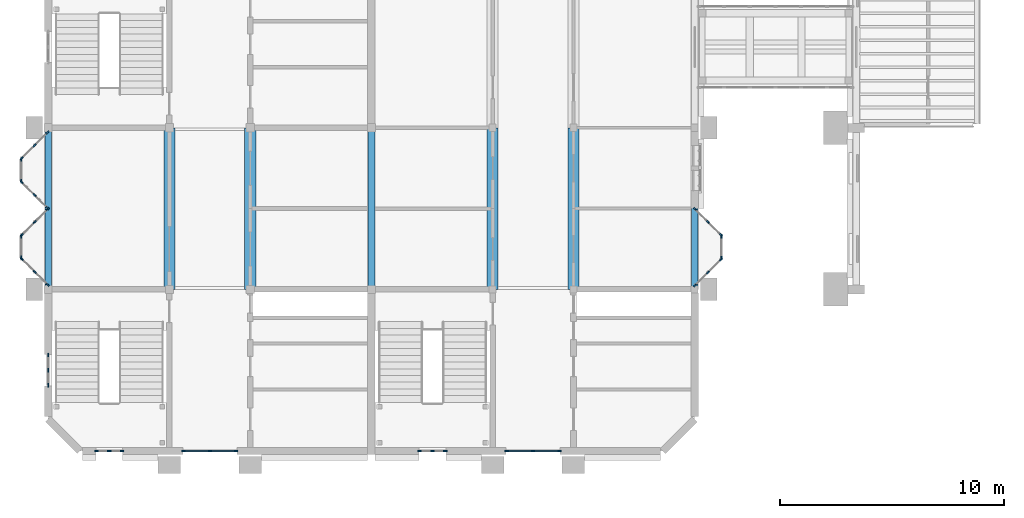
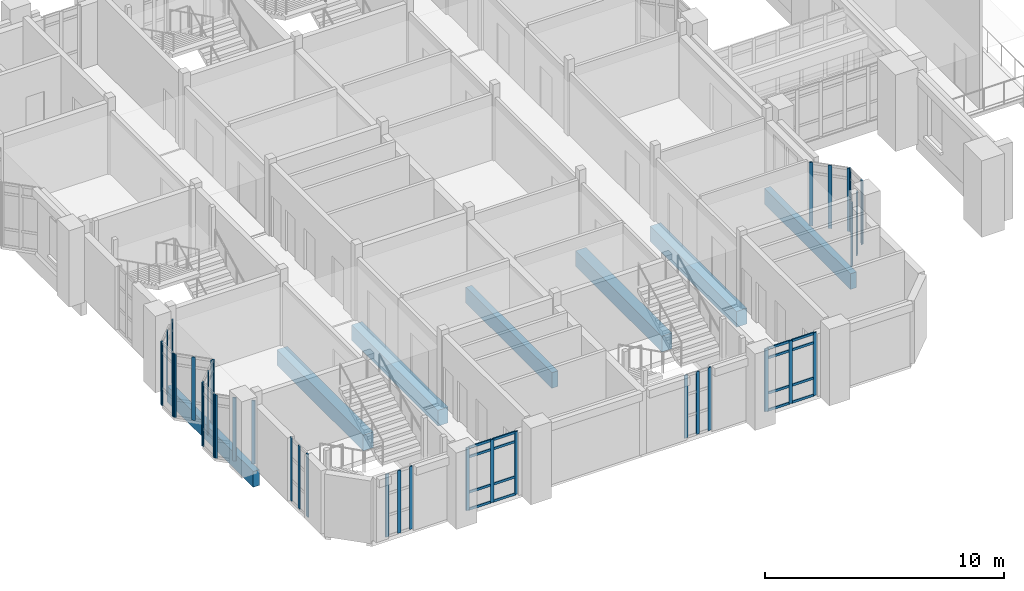
# One storey, part 4 of 69: 55 members, 7 beams, 14 elements without a shape of their own.
"""IFC4 building model written with IfcOpenShell, lengths in metres."""

from ifc_helpers import new_model, si_unit, direction, frame, origin, origin_2d, place, context, subcontext, project, spatial, rectangle, extrude, material, layer, layer_set, material_profile, profile_set, type_object, element, aggregate, save


model = new_model("IFC4")

# Units and contexts
model_context = context("Model", 3, precision=1e-05, world=origin(), true_north=direction((0.0, 1.0)))
body_context = subcontext(model_context, "Body", "Model", "MODEL_VIEW")
ifc_project = project(units=[si_unit("LENGTHUNIT", "METRE"), si_unit("AREAUNIT", "SQUARE_METRE"), si_unit("VOLUMEUNIT", "CUBIC_METRE"), si_unit("PLANEANGLEUNIT", "RADIAN"), si_unit("MASSUNIT", "GRAM", prefix="KILO")], contexts=[model_context])

# Site, building, storey
site_placement = place(None, origin())
site = spatial("IfcSite", under=ifc_project, at=site_placement, CompositionType="ELEMENT")
building_placement = place(site_placement, origin())
building = spatial("IfcBuilding", under=site, at=building_placement, Name="Mazhai Court Health Centre", CompositionType="ELEMENT")
storey_placement = place(building_placement, frame((0.0, 0.0, 6.300048828125)))
storey = spatial("IfcBuildingStorey", under=building, at=storey_placement, Name="L01", CompositionType="ELEMENT", Elevation=6.300048828125)

# Curtain wall, members
ifc_material_1 = material(Name="Teak timber frame, glazed", Category="wood")
ifc_layer_1 = layer(ifc_material_1, 0.10009765625)
ifc_layer_set_1 = layer_set([ifc_layer_1], Name="CURTAIN WALL TIMBER 600")
curtain_wall_type_1 = type_object("IfcCurtainWallType", Name="CURTAIN WALL TIMBER 600", PredefinedType="NOTDEFINED", material=ifc_layer_set_1)
curtain_wall_1_placement = place(storey_placement, origin())
curtain_wall_1 = element("IfcCurtainWall", 1, at=curtain_wall_1_placement, inside=storey, type_object=curtain_wall_type_1, Name="CW-V2-L01-A0", PredefinedType="NOTDEFINED")
ifc_material_2 = material(Name="Teak timber", Category="wood")
ifc_material_profile_1 = material_profile(ifc_material_2, rectangle(XDim=0.06005859375, YDim=0.159912109375, at=origin_2d()), Name="CW MULLION 60x160")
ifc_profile_set_1 = profile_set([ifc_material_profile_1], Name="Teak timber")
member_type_1 = type_object("IfcMemberType", Name="CW MULLION 60x160", PredefinedType="MULLION", material=ifc_profile_set_1)
member_1_placement = place(storey_placement, frame((6.199951171875, 9.1298828125, 0.0), z_axis=(0.0, 0.0, 1.0), x_axis=(-1.0, 0.0, 0.0)))
member_1 = element("IfcMember", 2, at=member_1_placement, type_object=member_type_1, Name="CW mullion 1", PredefinedType="MULLION", context=body_context, shape_type="SweptSolid", body=[
    extrude(rectangle(XDim=0.06005859375, YDim=0.159912109375, at=origin_2d()), origin(), (0.0, 0.0, 1.0), 3.219970703125),
])
member_2_placement = place(storey_placement, frame((6.199951171875, 9.800048828125, 0.0), z_axis=(0.0, 0.0, 1.0), x_axis=(-1.0, 0.0, 0.0)))
member_2 = element("IfcMember", 3, at=member_2_placement, type_object=member_type_1, Name="CW mullion 2", PredefinedType="MULLION", context=body_context, shape_type="SweptSolid", body=[
    extrude(rectangle(XDim=0.06005859375, YDim=0.159912109375, at=origin_2d()), origin(), (0.0, 0.0, 1.0), 3.219970703125),
])
member_3_placement = place(storey_placement, frame((6.199951171875, 10.469970703125, 0.0), z_axis=(0.0, 0.0, 1.0), x_axis=(-1.0, 0.0, 0.0)))
member_3 = element("IfcMember", 4, at=member_3_placement, type_object=member_type_1, Name="CW mullion 3", PredefinedType="MULLION", context=body_context, shape_type="SweptSolid", body=[
    extrude(rectangle(XDim=0.06005859375, YDim=0.159912109375, at=origin_2d()), origin(), (0.0, 0.0, 1.0), 3.219970703125),
])
aggregate(curtain_wall_1, [member_1, member_2, member_3])

ifc_material_3 = material(Name="Teak timber frame, glazed", Category="wood")
ifc_layer_2 = layer(ifc_material_3, 0.10009765625)
ifc_layer_set_2 = layer_set([ifc_layer_2], Name="CURTAIN WALL TIMBER 900")
curtain_wall_type_2 = type_object("IfcCurtainWallType", Name="CURTAIN WALL TIMBER 900", PredefinedType="NOTDEFINED", material=ifc_layer_set_2)
curtain_wall_2_placement = place(storey_placement, origin())
curtain_wall_2 = element("IfcCurtainWall", 5, at=curtain_wall_2_placement, inside=storey, type_object=curtain_wall_type_2, Name="CW-ORIEL-V2-L01-A10-0", PredefinedType="NOTDEFINED")
member_4_placement = place(storey_placement, frame((6.1787109375, 13.601318359375, 0.0), z_axis=(0.0, 0.0, 1.0), x_axis=(-0.707106781187, -0.707106781187, 0.0)))
member_4 = element("IfcMember", 6, at=member_4_placement, type_object=member_type_1, Name="CW mullion 1", PredefinedType="MULLION", context=body_context, shape_type="SweptSolid", body=[
    extrude(rectangle(XDim=0.06005859375, YDim=0.159912109375, at=origin_2d()), origin(), (0.0, 0.0, 1.0), 3.219970703125),
])
member_5_placement = place(storey_placement, frame((5.60009765625, 14.179931640625, 0.0), z_axis=(0.0, 0.0, 1.0), x_axis=(-0.707106781187, -0.707106781187, 0.0)))
member_5 = element("IfcMember", 7, at=member_5_placement, type_object=member_type_1, Name="CW mullion 2", PredefinedType="MULLION", context=body_context, shape_type="SweptSolid", body=[
    extrude(rectangle(XDim=0.06005859375, YDim=0.159912109375, at=origin_2d()), origin(), (0.0, 0.0, 1.0), 3.219970703125),
])
member_6_placement = place(storey_placement, frame((5.021240234375, 14.7587890625, 0.0), z_axis=(0.0, 0.0, 1.0), x_axis=(-0.707106781187, -0.707106781187, 0.0)))
member_6 = element("IfcMember", 8, at=member_6_placement, type_object=member_type_1, Name="CW mullion 3", PredefinedType="MULLION", context=body_context, shape_type="SweptSolid", body=[
    extrude(rectangle(XDim=0.06005859375, YDim=0.159912109375, at=origin_2d()), origin(), (0.0, 0.0, 1.0), 3.219970703125),
])
aggregate(curtain_wall_2, [member_4, member_5, member_6])

curtain_wall_3_placement = place(storey_placement, origin())
curtain_wall_3 = element("IfcCurtainWall", 9, at=curtain_wall_3_placement, inside=storey, type_object=curtain_wall_type_2, Name="CW-ORIEL-V2-L01-A10-1", PredefinedType="NOTDEFINED")
member_7_placement = place(storey_placement, frame((5.0, 14.81005859375, 0.0), z_axis=(0.0, 0.0, 1.0), x_axis=(-1.0, 0.0, 0.0)))
member_7 = element("IfcMember", 10, at=member_7_placement, type_object=member_type_1, Name="CW mullion 1", PredefinedType="MULLION", context=body_context, shape_type="SweptSolid", body=[
    extrude(rectangle(XDim=0.06005859375, YDim=0.159912109375, at=origin_2d()), origin(), (0.0, 0.0, 1.0), 3.219970703125),
])
member_8_placement = place(storey_placement, frame((5.0, 15.77001953125, 0.0), z_axis=(0.0, 0.0, 1.0), x_axis=(-1.0, 0.0, 0.0)))
member_8 = element("IfcMember", 11, at=member_8_placement, type_object=member_type_1, Name="CW mullion 2", PredefinedType="MULLION", context=body_context, shape_type="SweptSolid", body=[
    extrude(rectangle(XDim=0.06005859375, YDim=0.159912109375, at=origin_2d()), origin(), (0.0, 0.0, 1.0), 3.219970703125),
])
aggregate(curtain_wall_3, [member_7, member_8])

curtain_wall_4_placement = place(storey_placement, origin())
curtain_wall_4 = element("IfcCurtainWall", 12, at=curtain_wall_4_placement, inside=storey, type_object=curtain_wall_type_2, Name="CW-ORIEL-V2-L01-A10-2", PredefinedType="NOTDEFINED")
member_9_placement = place(storey_placement, frame((5.021240234375, 15.8212890625, 0.0), z_axis=(0.0, 0.0, 1.0), x_axis=(-0.707106781187, 0.707106781187, 0.0)))
member_9 = element("IfcMember", 13, at=member_9_placement, type_object=member_type_1, Name="CW mullion 1", PredefinedType="MULLION", context=body_context, shape_type="SweptSolid", body=[
    extrude(rectangle(XDim=0.06005859375, YDim=0.159912109375, at=origin_2d()), origin(), (0.0, 0.0, 1.0), 3.219970703125),
])
member_10_placement = place(storey_placement, frame((5.60009765625, 16.39990234375, 0.0), z_axis=(0.0, 0.0, 1.0), x_axis=(-0.707106781187, 0.707106781187, 0.0)))
member_10 = element("IfcMember", 14, at=member_10_placement, type_object=member_type_1, Name="CW mullion 2", PredefinedType="MULLION", context=body_context, shape_type="SweptSolid", body=[
    extrude(rectangle(XDim=0.06005859375, YDim=0.159912109375, at=origin_2d()), origin(), (0.0, 0.0, 1.0), 3.219970703125),
])
member_11_placement = place(storey_placement, frame((6.1787109375, 16.978759765625, 0.0), z_axis=(0.0, 0.0, 1.0), x_axis=(-0.707106781187, 0.707106781187, 0.0)))
member_11 = element("IfcMember", 15, at=member_11_placement, type_object=member_type_1, Name="CW mullion 3", PredefinedType="MULLION", context=body_context, shape_type="SweptSolid", body=[
    extrude(rectangle(XDim=0.06005859375, YDim=0.159912109375, at=origin_2d()), origin(), (0.0, 0.0, 1.0), 3.219970703125),
])
aggregate(curtain_wall_4, [member_9, member_10, member_11])

curtain_wall_5_placement = place(storey_placement, origin())
curtain_wall_5 = element("IfcCurtainWall", 16, at=curtain_wall_5_placement, inside=storey, type_object=curtain_wall_type_2, Name="CW-ORIEL-V2-L01-A11-0", PredefinedType="NOTDEFINED")
member_12_placement = place(storey_placement, frame((6.1787109375, 17.021240234375, 0.0), z_axis=(0.0, 0.0, 1.0), x_axis=(-0.707106781187, -0.707106781187, 0.0)))
member_12 = element("IfcMember", 17, at=member_12_placement, type_object=member_type_1, Name="CW mullion 1", PredefinedType="MULLION", context=body_context, shape_type="SweptSolid", body=[
    extrude(rectangle(XDim=0.06005859375, YDim=0.159912109375, at=origin_2d()), origin(), (0.0, 0.0, 1.0), 3.219970703125),
])
member_13_placement = place(storey_placement, frame((5.60009765625, 17.60009765625, 0.0), z_axis=(0.0, 0.0, 1.0), x_axis=(-0.707106781187, -0.707106781187, 0.0)))
member_13 = element("IfcMember", 18, at=member_13_placement, type_object=member_type_1, Name="CW mullion 2", PredefinedType="MULLION", context=body_context, shape_type="SweptSolid", body=[
    extrude(rectangle(XDim=0.06005859375, YDim=0.159912109375, at=origin_2d()), origin(), (0.0, 0.0, 1.0), 3.219970703125),
])
member_14_placement = place(storey_placement, frame((5.021240234375, 18.1787109375, 0.0), z_axis=(0.0, 0.0, 1.0), x_axis=(-0.707106781187, -0.707106781187, 0.0)))
member_14 = element("IfcMember", 19, at=member_14_placement, type_object=member_type_1, Name="CW mullion 3", PredefinedType="MULLION", context=body_context, shape_type="SweptSolid", body=[
    extrude(rectangle(XDim=0.06005859375, YDim=0.159912109375, at=origin_2d()), origin(), (0.0, 0.0, 1.0), 3.219970703125),
])
aggregate(curtain_wall_5, [member_12, member_13, member_14])

curtain_wall_6_placement = place(storey_placement, origin())
curtain_wall_6 = element("IfcCurtainWall", 20, at=curtain_wall_6_placement, inside=storey, type_object=curtain_wall_type_2, Name="CW-ORIEL-V2-L01-A11-1", PredefinedType="NOTDEFINED")
member_15_placement = place(storey_placement, frame((5.0, 18.22998046875, 0.0), z_axis=(0.0, 0.0, 1.0), x_axis=(-1.0, 0.0, 0.0)))
member_15 = element("IfcMember", 21, at=member_15_placement, type_object=member_type_1, Name="CW mullion 1", PredefinedType="MULLION", context=body_context, shape_type="SweptSolid", body=[
    extrude(rectangle(XDim=0.06005859375, YDim=0.159912109375, at=origin_2d()), origin(), (0.0, 0.0, 1.0), 3.219970703125),
])
member_16_placement = place(storey_placement, frame((5.0, 19.18994140625, 0.0), z_axis=(0.0, 0.0, 1.0), x_axis=(-1.0, 0.0, 0.0)))
member_16 = element("IfcMember", 22, at=member_16_placement, type_object=member_type_1, Name="CW mullion 2", PredefinedType="MULLION", context=body_context, shape_type="SweptSolid", body=[
    extrude(rectangle(XDim=0.06005859375, YDim=0.159912109375, at=origin_2d()), origin(), (0.0, 0.0, 1.0), 3.219970703125),
])
aggregate(curtain_wall_6, [member_15, member_16])

curtain_wall_7_placement = place(storey_placement, origin())
curtain_wall_7 = element("IfcCurtainWall", 23, at=curtain_wall_7_placement, inside=storey, type_object=curtain_wall_type_2, Name="CW-ORIEL-V2-L01-A11-2", PredefinedType="NOTDEFINED")
member_17_placement = place(storey_placement, frame((5.021240234375, 19.2412109375, 0.0), z_axis=(0.0, 0.0, 1.0), x_axis=(-0.707106781187, 0.707106781187, 0.0)))
member_17 = element("IfcMember", 24, at=member_17_placement, type_object=member_type_1, Name="CW mullion 1", PredefinedType="MULLION", context=body_context, shape_type="SweptSolid", body=[
    extrude(rectangle(XDim=0.06005859375, YDim=0.159912109375, at=origin_2d()), origin(), (0.0, 0.0, 1.0), 3.219970703125),
])
member_18_placement = place(storey_placement, frame((5.60009765625, 19.820068359375, 0.0), z_axis=(0.0, 0.0, 1.0), x_axis=(-0.707106781187, 0.707106781187, 0.0)))
member_18 = element("IfcMember", 25, at=member_18_placement, type_object=member_type_1, Name="CW mullion 2", PredefinedType="MULLION", context=body_context, shape_type="SweptSolid", body=[
    extrude(rectangle(XDim=0.06005859375, YDim=0.159912109375, at=origin_2d()), origin(), (0.0, 0.0, 1.0), 3.219970703125),
])
member_19_placement = place(storey_placement, frame((6.1787109375, 20.398681640625, 0.0), z_axis=(0.0, 0.0, 1.0), x_axis=(-0.707106781187, 0.707106781187, 0.0)))
member_19 = element("IfcMember", 26, at=member_19_placement, type_object=member_type_1, Name="CW mullion 3", PredefinedType="MULLION", context=body_context, shape_type="SweptSolid", body=[
    extrude(rectangle(XDim=0.06005859375, YDim=0.159912109375, at=origin_2d()), origin(), (0.0, 0.0, 1.0), 3.219970703125),
])
aggregate(curtain_wall_7, [member_17, member_18, member_19])

curtain_wall_8_placement = place(storey_placement, origin())
curtain_wall_8 = element("IfcCurtainWall", 27, at=curtain_wall_8_placement, inside=storey, type_object=curtain_wall_type_1, Name="CW-V2-L01-SSTAIR0", PredefinedType="NOTDEFINED")
member_20_placement = place(storey_placement, frame((9.489990234375, 6.199951171875, 0.0), z_axis=(0.0, 0.0, 1.0), x_axis=(0.0, -1.0, 0.0)))
member_20 = element("IfcMember", 28, at=member_20_placement, type_object=member_type_1, Name="CW mullion 1", PredefinedType="MULLION", context=body_context, shape_type="SweptSolid", body=[
    extrude(rectangle(XDim=0.06005859375, YDim=0.159912109375, at=origin_2d()), origin(), (0.0, 0.0, 1.0), 3.199951171875),
])
member_21_placement = place(storey_placement, frame((8.919921875, 6.199951171875, 0.0), z_axis=(0.0, 0.0, 1.0), x_axis=(0.0, -1.0, 0.0)))
member_21 = element("IfcMember", 29, at=member_21_placement, type_object=member_type_1, Name="CW mullion 2", PredefinedType="MULLION", context=body_context, shape_type="SweptSolid", body=[
    extrude(rectangle(XDim=0.06005859375, YDim=0.159912109375, at=origin_2d()), origin(), (0.0, 0.0, 1.0), 3.199951171875),
])
member_22_placement = place(storey_placement, frame((8.35009765625, 6.199951171875, 0.0), z_axis=(0.0, 0.0, 1.0), x_axis=(0.0, -1.0, 0.0)))
member_22 = element("IfcMember", 30, at=member_22_placement, type_object=member_type_1, Name="CW mullion 3", PredefinedType="MULLION", context=body_context, shape_type="SweptSolid", body=[
    extrude(rectangle(XDim=0.06005859375, YDim=0.159912109375, at=origin_2d()), origin(), (0.0, 0.0, 1.0), 3.199951171875),
])
aggregate(curtain_wall_8, [member_20, member_21, member_22])

ifc_material_4 = material(Name="Teak timber frame, glazed", Category="wood")
ifc_layer_3 = layer(ifc_material_4, 0.10009765625)
ifc_layer_set_3 = layer_set([ifc_layer_3], Name="CURTAIN WALL TIMBER 1200")
curtain_wall_type_3 = type_object("IfcCurtainWallType", Name="CURTAIN WALL TIMBER 1200", PredefinedType="NOTDEFINED", material=ifc_layer_set_3)
curtain_wall_9_placement = place(storey_placement, origin())
curtain_wall_9 = element("IfcCurtainWall", 31, at=curtain_wall_9_placement, inside=storey, type_object=curtain_wall_type_3, Name="CW-V2-L01-SEND1", PredefinedType="NOTDEFINED")
member_23_placement = place(storey_placement, frame((14.570068359375, 6.199951171875, 0.0), z_axis=(0.0, 0.0, 1.0), x_axis=(0.0, -1.0, 0.0)))
member_23 = element("IfcMember", 32, at=member_23_placement, type_object=member_type_1, Name="CW mullion 1", PredefinedType="MULLION", context=body_context, shape_type="SweptSolid", body=[
    extrude(rectangle(XDim=0.06005859375, YDim=0.159912109375, at=origin_2d()), origin(), (0.0, 0.0, 1.0), 3.199951171875),
])
member_24_placement = place(storey_placement, frame((13.39990234375, 6.199951171875, 0.0), z_axis=(0.0, 0.0, 1.0), x_axis=(0.0, -1.0, 0.0)))
member_24 = element("IfcMember", 33, at=member_24_placement, type_object=member_type_1, Name="CW mullion 2", PredefinedType="MULLION", context=body_context, shape_type="SweptSolid", body=[
    extrude(rectangle(XDim=0.06005859375, YDim=0.159912109375, at=origin_2d()), origin(), (0.0, 0.0, 1.0), 3.199951171875),
])
member_25_placement = place(storey_placement, frame((12.22998046875, 6.199951171875, 0.0), z_axis=(0.0, 0.0, 1.0), x_axis=(0.0, -1.0, 0.0)))
member_25 = element("IfcMember", 34, at=member_25_placement, type_object=member_type_1, Name="CW mullion 3", PredefinedType="MULLION", context=body_context, shape_type="SweptSolid", body=[
    extrude(rectangle(XDim=0.06005859375, YDim=0.159912109375, at=origin_2d()), origin(), (0.0, 0.0, 1.0), 3.199951171875),
])

curtain_wall_10_placement = place(storey_placement, origin())
curtain_wall_10 = element("IfcCurtainWall", 35, at=curtain_wall_10_placement, inside=storey, type_object=curtain_wall_type_2, Name="CW-ORIEL-V5-L01-B10-0", PredefinedType="NOTDEFINED")
member_26_placement = place(storey_placement, frame((35.021240234375, 13.581298828125, 0.0), z_axis=(0.0, 0.0, 1.0), x_axis=(-0.707106781187, 0.707106781187, 0.0)))
member_26 = element("IfcMember", 36, at=member_26_placement, type_object=member_type_1, Name="CW mullion 1", PredefinedType="MULLION", context=body_context, shape_type="SweptSolid", body=[
    extrude(rectangle(XDim=0.06005859375, YDim=0.159912109375, at=origin_2d()), origin(), (0.0, 0.0, 1.0), 3.219970703125),
])
member_27_placement = place(storey_placement, frame((35.60009765625, 14.159912109375, 0.0), z_axis=(0.0, 0.0, 1.0), x_axis=(-0.707106781187, 0.707106781187, 0.0)))
member_27 = element("IfcMember", 37, at=member_27_placement, type_object=member_type_1, Name="CW mullion 2", PredefinedType="MULLION", context=body_context, shape_type="SweptSolid", body=[
    extrude(rectangle(XDim=0.06005859375, YDim=0.159912109375, at=origin_2d()), origin(), (0.0, 0.0, 1.0), 3.219970703125),
])
member_28_placement = place(storey_placement, frame((36.1787109375, 14.73876953125, 0.0), z_axis=(0.0, 0.0, 1.0), x_axis=(-0.707106781187, 0.707106781187, 0.0)))
member_28 = element("IfcMember", 38, at=member_28_placement, type_object=member_type_1, Name="CW mullion 3", PredefinedType="MULLION", context=body_context, shape_type="SweptSolid", body=[
    extrude(rectangle(XDim=0.06005859375, YDim=0.159912109375, at=origin_2d()), origin(), (0.0, 0.0, 1.0), 3.219970703125),
])
aggregate(curtain_wall_10, [member_26, member_27, member_28])

curtain_wall_11_placement = place(storey_placement, origin())
curtain_wall_11 = element("IfcCurtainWall", 39, at=curtain_wall_11_placement, inside=storey, type_object=curtain_wall_type_2, Name="CW-ORIEL-V5-L01-B10-1", PredefinedType="NOTDEFINED")
member_29_placement = place(storey_placement, frame((36.199951171875, 14.7900390625, 0.0), z_axis=(0.0, 0.0, 1.0), x_axis=(-1.0, 0.0, 0.0)))
member_29 = element("IfcMember", 40, at=member_29_placement, type_object=member_type_1, Name="CW mullion 1", PredefinedType="MULLION", context=body_context, shape_type="SweptSolid", body=[
    extrude(rectangle(XDim=0.06005859375, YDim=0.159912109375, at=origin_2d()), origin(), (0.0, 0.0, 1.0), 3.219970703125),
])
member_30_placement = place(storey_placement, frame((36.199951171875, 15.77001953125, 0.0), z_axis=(0.0, 0.0, 1.0), x_axis=(-1.0, 0.0, 0.0)))
member_30 = element("IfcMember", 41, at=member_30_placement, type_object=member_type_1, Name="CW mullion 2", PredefinedType="MULLION", context=body_context, shape_type="SweptSolid", body=[
    extrude(rectangle(XDim=0.06005859375, YDim=0.159912109375, at=origin_2d()), origin(), (0.0, 0.0, 1.0), 3.219970703125),
])
aggregate(curtain_wall_11, [member_29, member_30])

curtain_wall_12_placement = place(storey_placement, origin())
curtain_wall_12 = element("IfcCurtainWall", 42, at=curtain_wall_12_placement, inside=storey, type_object=curtain_wall_type_2, Name="CW-ORIEL-V5-L01-B10-2", PredefinedType="NOTDEFINED")
member_31_placement = place(storey_placement, frame((36.1787109375, 15.8212890625, 0.0), z_axis=(0.0, 0.0, 1.0), x_axis=(-0.707106781187, -0.707106781187, 0.0)))
member_31 = element("IfcMember", 43, at=member_31_placement, type_object=member_type_1, Name="CW mullion 1", PredefinedType="MULLION", context=body_context, shape_type="SweptSolid", body=[
    extrude(rectangle(XDim=0.06005859375, YDim=0.159912109375, at=origin_2d()), origin(), (0.0, 0.0, 1.0), 3.219970703125),
])
member_32_placement = place(storey_placement, frame((35.60009765625, 16.39990234375, 0.0), z_axis=(0.0, 0.0, 1.0), x_axis=(-0.707106781187, -0.707106781187, 0.0)))
member_32 = element("IfcMember", 44, at=member_32_placement, type_object=member_type_1, Name="CW mullion 2", PredefinedType="MULLION", context=body_context, shape_type="SweptSolid", body=[
    extrude(rectangle(XDim=0.06005859375, YDim=0.159912109375, at=origin_2d()), origin(), (0.0, 0.0, 1.0), 3.219970703125),
])
member_33_placement = place(storey_placement, frame((35.021240234375, 16.978759765625, 0.0), z_axis=(0.0, 0.0, 1.0), x_axis=(-0.707106781187, -0.707106781187, 0.0)))
member_33 = element("IfcMember", 45, at=member_33_placement, type_object=member_type_1, Name="CW mullion 3", PredefinedType="MULLION", context=body_context, shape_type="SweptSolid", body=[
    extrude(rectangle(XDim=0.06005859375, YDim=0.159912109375, at=origin_2d()), origin(), (0.0, 0.0, 1.0), 3.219970703125),
])
aggregate(curtain_wall_12, [member_31, member_32, member_33])

curtain_wall_13_placement = place(storey_placement, origin())
curtain_wall_13 = element("IfcCurtainWall", 46, at=curtain_wall_13_placement, inside=storey, type_object=curtain_wall_type_1, Name="CW-V5-L01-SSTAIR0", PredefinedType="NOTDEFINED")
member_34_placement = place(storey_placement, frame((23.889892578125, 6.199951171875, 0.0), z_axis=(0.0, 0.0, 1.0), x_axis=(0.0, -1.0, 0.0)))
member_34 = element("IfcMember", 47, at=member_34_placement, type_object=member_type_1, Name="CW mullion 1", PredefinedType="MULLION", context=body_context, shape_type="SweptSolid", body=[
    extrude(rectangle(XDim=0.06005859375, YDim=0.159912109375, at=origin_2d()), origin(), (0.0, 0.0, 1.0), 3.199951171875),
])
member_35_placement = place(storey_placement, frame((23.320068359375, 6.199951171875, 0.0), z_axis=(0.0, 0.0, 1.0), x_axis=(0.0, -1.0, 0.0)))
member_35 = element("IfcMember", 48, at=member_35_placement, type_object=member_type_1, Name="CW mullion 2", PredefinedType="MULLION", context=body_context, shape_type="SweptSolid", body=[
    extrude(rectangle(XDim=0.06005859375, YDim=0.159912109375, at=origin_2d()), origin(), (0.0, 0.0, 1.0), 3.199951171875),
])
member_36_placement = place(storey_placement, frame((22.75, 6.199951171875, 0.0), z_axis=(0.0, 0.0, 1.0), x_axis=(0.0, -1.0, 0.0)))
member_36 = element("IfcMember", 49, at=member_36_placement, type_object=member_type_1, Name="CW mullion 3", PredefinedType="MULLION", context=body_context, shape_type="SweptSolid", body=[
    extrude(rectangle(XDim=0.06005859375, YDim=0.159912109375, at=origin_2d()), origin(), (0.0, 0.0, 1.0), 3.199951171875),
])
aggregate(curtain_wall_13, [member_34, member_35, member_36])

curtain_wall_14_placement = place(storey_placement, origin())
curtain_wall_14 = element("IfcCurtainWall", 50, at=curtain_wall_14_placement, inside=storey, type_object=curtain_wall_type_3, Name="CW-V5-L01-SEND1", PredefinedType="NOTDEFINED")
member_37_placement = place(storey_placement, frame((28.969970703125, 6.199951171875, 0.0), z_axis=(0.0, 0.0, 1.0), x_axis=(0.0, -1.0, 0.0)))
member_37 = element("IfcMember", 51, at=member_37_placement, type_object=member_type_1, Name="CW mullion 1", PredefinedType="MULLION", context=body_context, shape_type="SweptSolid", body=[
    extrude(rectangle(XDim=0.06005859375, YDim=0.159912109375, at=origin_2d()), origin(), (0.0, 0.0, 1.0), 3.199951171875),
])
member_38_placement = place(storey_placement, frame((27.800048828125, 6.199951171875, 0.0), z_axis=(0.0, 0.0, 1.0), x_axis=(0.0, -1.0, 0.0)))
member_38 = element("IfcMember", 52, at=member_38_placement, type_object=member_type_1, Name="CW mullion 2", PredefinedType="MULLION", context=body_context, shape_type="SweptSolid", body=[
    extrude(rectangle(XDim=0.06005859375, YDim=0.159912109375, at=origin_2d()), origin(), (0.0, 0.0, 1.0), 3.199951171875),
])
member_39_placement = place(storey_placement, frame((26.6298828125, 6.199951171875, 0.0), z_axis=(0.0, 0.0, 1.0), x_axis=(0.0, -1.0, 0.0)))
member_39 = element("IfcMember", 53, at=member_39_placement, type_object=member_type_1, Name="CW mullion 3", PredefinedType="MULLION", context=body_context, shape_type="SweptSolid", body=[
    extrude(rectangle(XDim=0.06005859375, YDim=0.159912109375, at=origin_2d()), origin(), (0.0, 0.0, 1.0), 3.199951171875),
])

# Member
ifc_material_5 = material(Name="Teak timber", Category="wood")
ifc_material_profile_2 = material_profile(ifc_material_5, rectangle(XDim=0.06005859375, YDim=0.1201171875, at=origin_2d()), Name="CW TRANSOM 60x120")
ifc_profile_set_2 = profile_set([ifc_material_profile_2], Name="Teak timber")
member_type_2 = type_object("IfcMemberType", Name="CW TRANSOM 60x120", PredefinedType="USERDEFINED", material=ifc_profile_set_2)
member_40_placement = place(storey_placement, frame((14.5400390625, 6.199951171875, 0.030029296875), z_axis=(-1.0, 0.0, 0.0), x_axis=(0.0, -1.0, 0.0)))
member_40 = element("IfcMember", 54, at=member_40_placement, type_object=member_type_2, Name="CW transom 1.1", ObjectType="TRANSOM", PredefinedType="USERDEFINED", context=body_context, shape_type="SweptSolid", body=[
    extrude(rectangle(XDim=0.06005859375, YDim=0.1201171875, at=origin_2d()), origin(), (0.0, 0.0, 1.0), 1.110107421875),
])

member_41_placement = place(storey_placement, frame((14.5400390625, 6.199951171875, 0.89990234375), z_axis=(-1.0, 0.0, 0.0), x_axis=(0.0, -1.0, 0.0)))
member_41 = element("IfcMember", 55, at=member_41_placement, type_object=member_type_2, Name="CW transom 1.2", ObjectType="TRANSOM", PredefinedType="USERDEFINED", context=body_context, shape_type="SweptSolid", body=[
    extrude(rectangle(XDim=0.06005859375, YDim=0.1201171875, at=origin_2d()), origin(), (0.0, 0.0, 1.0), 1.110107421875),
])

member_42_placement = place(storey_placement, frame((14.5400390625, 6.199951171875, 2.699951171875), z_axis=(-1.0, 0.0, 0.0), x_axis=(0.0, -1.0, 0.0)))
member_42 = element("IfcMember", 56, at=member_42_placement, type_object=member_type_2, Name="CW transom 1.3", ObjectType="TRANSOM", PredefinedType="USERDEFINED", context=body_context, shape_type="SweptSolid", body=[
    extrude(rectangle(XDim=0.06005859375, YDim=0.1201171875, at=origin_2d()), origin(), (0.0, 0.0, 1.0), 1.110107421875),
])

member_43_placement = place(storey_placement, frame((14.5400390625, 6.199951171875, 3.169921875), z_axis=(-1.0, 0.0, 0.0), x_axis=(0.0, -1.0, 0.0)))
member_43 = element("IfcMember", 57, at=member_43_placement, type_object=member_type_2, Name="CW transom 1.4", ObjectType="TRANSOM", PredefinedType="USERDEFINED", context=body_context, shape_type="SweptSolid", body=[
    extrude(rectangle(XDim=0.06005859375, YDim=0.1201171875, at=origin_2d()), origin(), (0.0, 0.0, 1.0), 1.110107421875),
])

member_44_placement = place(storey_placement, frame((13.3701171875, 6.199951171875, 0.030029296875), z_axis=(-1.0, 0.0, 0.0), x_axis=(0.0, -1.0, 0.0)))
member_44 = element("IfcMember", 58, at=member_44_placement, type_object=member_type_2, Name="CW transom 2.1", ObjectType="TRANSOM", PredefinedType="USERDEFINED", context=body_context, shape_type="SweptSolid", body=[
    extrude(rectangle(XDim=0.06005859375, YDim=0.1201171875, at=origin_2d()), origin(), (0.0, 0.0, 1.0), 1.110107421875),
])

member_45_placement = place(storey_placement, frame((13.3701171875, 6.199951171875, 0.89990234375), z_axis=(-1.0, 0.0, 0.0), x_axis=(0.0, -1.0, 0.0)))
member_45 = element("IfcMember", 59, at=member_45_placement, type_object=member_type_2, Name="CW transom 2.2", ObjectType="TRANSOM", PredefinedType="USERDEFINED", context=body_context, shape_type="SweptSolid", body=[
    extrude(rectangle(XDim=0.06005859375, YDim=0.1201171875, at=origin_2d()), origin(), (0.0, 0.0, 1.0), 1.110107421875),
])

member_46_placement = place(storey_placement, frame((13.3701171875, 6.199951171875, 2.699951171875), z_axis=(-1.0, 0.0, 0.0), x_axis=(0.0, -1.0, 0.0)))
member_46 = element("IfcMember", 60, at=member_46_placement, type_object=member_type_2, Name="CW transom 2.3", ObjectType="TRANSOM", PredefinedType="USERDEFINED", context=body_context, shape_type="SweptSolid", body=[
    extrude(rectangle(XDim=0.06005859375, YDim=0.1201171875, at=origin_2d()), origin(), (0.0, 0.0, 1.0), 1.110107421875),
])

member_47_placement = place(storey_placement, frame((13.3701171875, 6.199951171875, 3.169921875), z_axis=(-1.0, 0.0, 0.0), x_axis=(0.0, -1.0, 0.0)))
member_47 = element("IfcMember", 61, at=member_47_placement, type_object=member_type_2, Name="CW transom 2.4", ObjectType="TRANSOM", PredefinedType="USERDEFINED", context=body_context, shape_type="SweptSolid", body=[
    extrude(rectangle(XDim=0.06005859375, YDim=0.1201171875, at=origin_2d()), origin(), (0.0, 0.0, 1.0), 1.110107421875),
])

aggregate(curtain_wall_9, [member_23, member_24, member_25, member_40, member_41, member_42, member_43, member_44, member_45, member_46, member_47])

member_48_placement = place(storey_placement, frame((28.93994140625, 6.199951171875, 0.030029296875), z_axis=(-1.0, 0.0, 0.0), x_axis=(0.0, -1.0, 0.0)))
member_48 = element("IfcMember", 62, at=member_48_placement, type_object=member_type_2, Name="CW transom 1.1", ObjectType="TRANSOM", PredefinedType="USERDEFINED", context=body_context, shape_type="SweptSolid", body=[
    extrude(rectangle(XDim=0.06005859375, YDim=0.1201171875, at=origin_2d()), origin(), (0.0, 0.0, 1.0), 1.10986328125),
])

member_49_placement = place(storey_placement, frame((28.93994140625, 6.199951171875, 0.89990234375), z_axis=(-1.0, 0.0, 0.0), x_axis=(0.0, -1.0, 0.0)))
member_49 = element("IfcMember", 63, at=member_49_placement, type_object=member_type_2, Name="CW transom 1.2", ObjectType="TRANSOM", PredefinedType="USERDEFINED", context=body_context, shape_type="SweptSolid", body=[
    extrude(rectangle(XDim=0.06005859375, YDim=0.1201171875, at=origin_2d()), origin(), (0.0, 0.0, 1.0), 1.10986328125),
])

member_50_placement = place(storey_placement, frame((28.93994140625, 6.199951171875, 2.699951171875), z_axis=(-1.0, 0.0, 0.0), x_axis=(0.0, -1.0, 0.0)))
member_50 = element("IfcMember", 64, at=member_50_placement, type_object=member_type_2, Name="CW transom 1.3", ObjectType="TRANSOM", PredefinedType="USERDEFINED", context=body_context, shape_type="SweptSolid", body=[
    extrude(rectangle(XDim=0.06005859375, YDim=0.1201171875, at=origin_2d()), origin(), (0.0, 0.0, 1.0), 1.10986328125),
])

member_51_placement = place(storey_placement, frame((28.93994140625, 6.199951171875, 3.169921875), z_axis=(-1.0, 0.0, 0.0), x_axis=(0.0, -1.0, 0.0)))
member_51 = element("IfcMember", 65, at=member_51_placement, type_object=member_type_2, Name="CW transom 1.4", ObjectType="TRANSOM", PredefinedType="USERDEFINED", context=body_context, shape_type="SweptSolid", body=[
    extrude(rectangle(XDim=0.06005859375, YDim=0.1201171875, at=origin_2d()), origin(), (0.0, 0.0, 1.0), 1.10986328125),
])

member_52_placement = place(storey_placement, frame((27.77001953125, 6.199951171875, 0.030029296875), z_axis=(-1.0, 0.0, 0.0), x_axis=(0.0, -1.0, 0.0)))
member_52 = element("IfcMember", 66, at=member_52_placement, type_object=member_type_2, Name="CW transom 2.1", ObjectType="TRANSOM", PredefinedType="USERDEFINED", context=body_context, shape_type="SweptSolid", body=[
    extrude(rectangle(XDim=0.06005859375, YDim=0.1201171875, at=origin_2d()), origin(), (0.0, 0.0, 1.0), 1.110107421875),
])

member_53_placement = place(storey_placement, frame((27.77001953125, 6.199951171875, 0.89990234375), z_axis=(-1.0, 0.0, 0.0), x_axis=(0.0, -1.0, 0.0)))
member_53 = element("IfcMember", 67, at=member_53_placement, type_object=member_type_2, Name="CW transom 2.2", ObjectType="TRANSOM", PredefinedType="USERDEFINED", context=body_context, shape_type="SweptSolid", body=[
    extrude(rectangle(XDim=0.06005859375, YDim=0.1201171875, at=origin_2d()), origin(), (0.0, 0.0, 1.0), 1.110107421875),
])

member_54_placement = place(storey_placement, frame((27.77001953125, 6.199951171875, 2.699951171875), z_axis=(-1.0, 0.0, 0.0), x_axis=(0.0, -1.0, 0.0)))
member_54 = element("IfcMember", 68, at=member_54_placement, type_object=member_type_2, Name="CW transom 2.3", ObjectType="TRANSOM", PredefinedType="USERDEFINED", context=body_context, shape_type="SweptSolid", body=[
    extrude(rectangle(XDim=0.06005859375, YDim=0.1201171875, at=origin_2d()), origin(), (0.0, 0.0, 1.0), 1.110107421875),
])

member_55_placement = place(storey_placement, frame((27.77001953125, 6.199951171875, 3.169921875), z_axis=(-1.0, 0.0, 0.0), x_axis=(0.0, -1.0, 0.0)))
member_55 = element("IfcMember", 69, at=member_55_placement, type_object=member_type_2, Name="CW transom 2.4", ObjectType="TRANSOM", PredefinedType="USERDEFINED", context=body_context, shape_type="SweptSolid", body=[
    extrude(rectangle(XDim=0.06005859375, YDim=0.1201171875, at=origin_2d()), origin(), (0.0, 0.0, 1.0), 1.110107421875),
])

aggregate(curtain_wall_14, [member_37, member_38, member_39, member_48, member_49, member_50, member_51, member_52, member_53, member_54, member_55])

# Beams
ifc_material_6 = material(Name="Concrete M40", Category="concrete")
ifc_material_profile_3 = material_profile(ifc_material_6, rectangle(XDim=0.300048828125, YDim=0.800048828125, at=origin_2d()), Name="RC 300x800")
ifc_profile_set_3 = profile_set([ifc_material_profile_3], Name="Concrete M40")
beam_type_1 = type_object("IfcBeamType", Name="RC BEAM 300x800 M40", PredefinedType="BEAM", material=ifc_profile_set_3)
for number, where, z_axis, x_axis, name in (
    (70, (6.199951171875, 13.39990234375, -0.650146484375), (0.0, 1.0, 0.0), (-1.0, 0.0, 0.0), "beam-V2-L01-6.2-13.4-6.2-20.6"),
    (71, (20.60009765625, 13.39990234375, -0.650146484375), (0.0, 1.0, 0.0), (-1.0, 0.0, 0.0), "beam-V2-L01-20.6-13.4-20.6-20.6"),
    (72, (35.0, 13.39990234375, -0.650146484375), (0.0, 1.0, 0.0), (-1.0, 0.0, 0.0), "beam-V5-L01-35-13.4-35-20.6"),
):
    element("IfcBeam", number, at=place(storey_placement, frame(where, z_axis=z_axis, x_axis=x_axis)), inside=storey, type_object=beam_type_1, Name=name, PredefinedType="BEAM", context=body_context, shape_type="SweptSolid", body=[
        extrude(rectangle(XDim=0.300048828125, YDim=0.800048828125, at=origin_2d()), origin(), (0.0, 0.0, 1.0), 7.2001953125),
    ])
ifc_material_7 = material(Name="Concrete M40", Category="concrete")
ifc_material_profile_4 = material_profile(ifc_material_7, rectangle(XDim=0.5, YDim=0.800048828125, at=origin_2d()), Name="RC 500x800")
ifc_profile_set_4 = profile_set([ifc_material_profile_4], Name="Concrete M40")
beam_type_2 = type_object("IfcBeamType", Name="RC BEAM 500x800 M40", PredefinedType="BEAM", material=ifc_profile_set_4)
for number, where, z_axis, x_axis, name in (
    (73, (11.60009765625, 13.39990234375, -0.650146484375), (0.0, 1.0, 0.0), (-1.0, 0.0, 0.0), "beam-V2-L01-11.6-13.4-11.6-20.6"),
    (74, (15.199951171875, 13.39990234375, -0.650146484375), (0.0, 1.0, 0.0), (-1.0, 0.0, 0.0), "beam-V2-L01-15.2-13.4-15.2-20.6"),
    (75, (26.0, 13.39990234375, -0.650146484375), (0.0, 1.0, 0.0), (-1.0, 0.0, 0.0), "beam-V5-L01-26-13.4-26-20.6"),
    (76, (29.60009765625, 13.39990234375, -0.650146484375), (0.0, 1.0, 0.0), (-1.0, 0.0, 0.0), "beam-V5-L01-29.6-13.4-29.6-20.6"),
):
    element("IfcBeam", number, at=place(storey_placement, frame(where, z_axis=z_axis, x_axis=x_axis)), inside=storey, type_object=beam_type_2, Name=name, PredefinedType="BEAM", context=body_context, shape_type="SweptSolid", body=[
        extrude(rectangle(XDim=0.5, YDim=0.800048828125, at=origin_2d()), origin(), (0.0, 0.0, 1.0), 7.2001953125),
    ])

save(model, "model.ifc")
